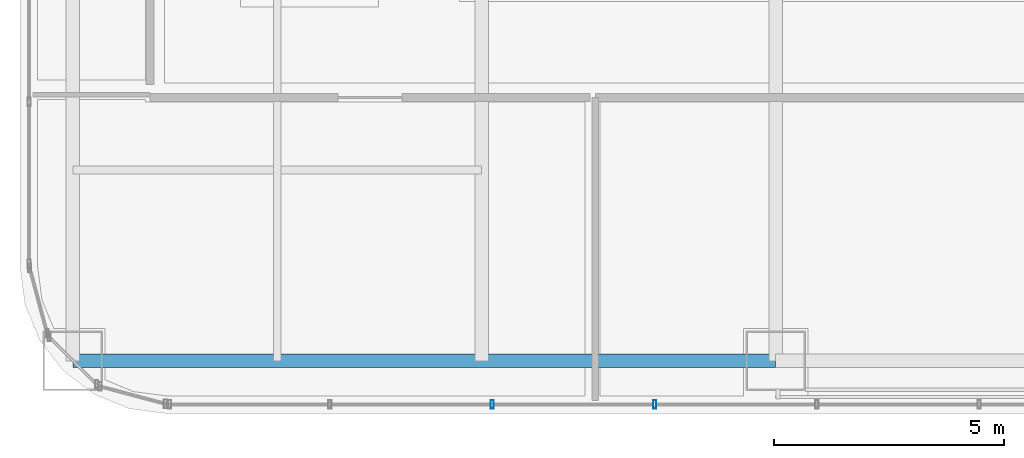
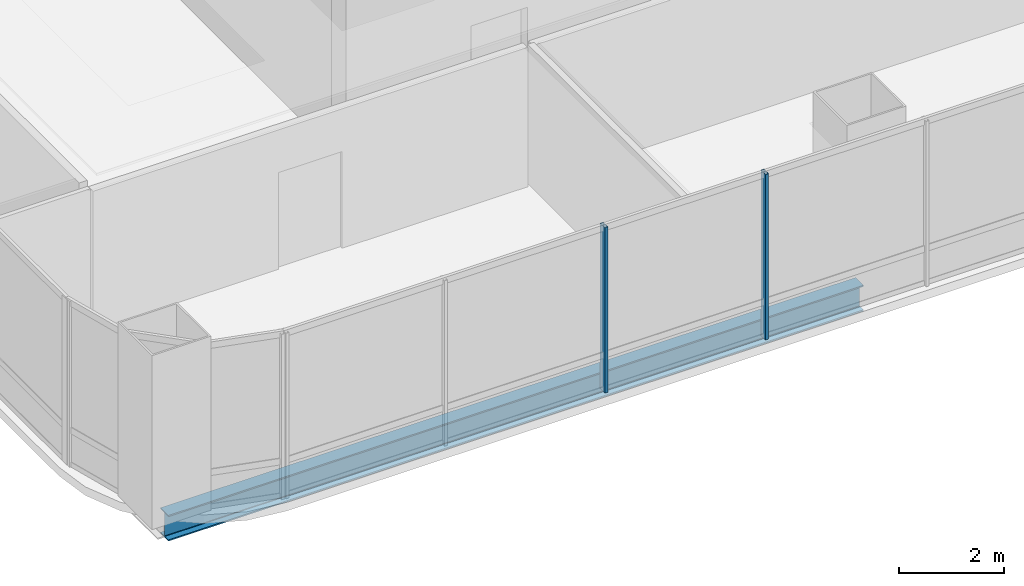
# One storey, part 3 of 42: 2 members, 1 beam, 1 element without a shape of its own.
"""IFC4 building model written with IfcOpenShell, lengths in metres."""

from ifc_helpers import new_model, si_unit, direction, frame, origin, origin_2d, place, context, subcontext, project, spatial, hollow_rectangle, i_section, extrude, material, material_profile, profile_set, type_object, element, aggregate, save


model = new_model("IFC4")

# Units and contexts
model_context = context("Model", 3, precision=1e-05, world=origin(), true_north=direction((0.0, 1.0)))
body_context = subcontext(model_context, "Body", "Model", "MODEL_VIEW")
ifc_project = project(units=[si_unit("LENGTHUNIT", "METRE"), si_unit("AREAUNIT", "SQUARE_METRE"), si_unit("VOLUMEUNIT", "CUBIC_METRE"), si_unit("PLANEANGLEUNIT", "RADIAN"), si_unit("MASSUNIT", "GRAM", prefix="KILO")], contexts=[model_context])

# Site, building, storey
site_placement = place(None, origin())
site = spatial("IfcSite", under=ifc_project, at=site_placement, CompositionType="ELEMENT")
building_placement = place(site_placement, origin())
building = spatial("IfcBuilding", under=site, at=building_placement, Name="Punatoya Terracotta Tower", CompositionType="ELEMENT")
storey_placement = place(building_placement, frame((0.0, 0.0, 255.449951171875)))
storey = spatial("IfcBuildingStorey", under=building, at=storey_placement, Name="L60", CompositionType="ELEMENT", Elevation=255.449951171875)

# Beam
ifc_material_1 = material(Name="Steel S355", Category="steel")
ifc_material_profile_1 = material_profile(ifc_material_1, i_section(OverallWidth=0.300048828125, OverallDepth=0.60009765625, WebThickness=0.015380859375, FlangeThickness=0.030029296875, FilletRadius=0.01806640625, at=origin_2d()))
ifc_profile_set_1 = profile_set([ifc_material_profile_1], Name="Steel S355")
beam_type = type_object("IfcBeamType", Name="BM-PRI-600", PredefinedType="BEAM", material=ifc_profile_set_1)
beam_placement = place(storey_placement, frame((-19.10009765625, -17.5, -0.5), z_axis=(1.0, 0.0, 0.0), x_axis=(0.0, 1.0, 0.0)))
element("IfcBeam", 1, at=beam_placement, inside=storey, type_object=beam_type, Name="BM-L60-RG-S1", PredefinedType="BEAM", context=body_context, shape_type="SweptSolid", body=[
    extrude(i_section(OverallWidth=0.300048828125, OverallDepth=0.60009765625, WebThickness=0.015380859375, FlangeThickness=0.030029296875, FilletRadius=0.01806640625, at=origin_2d()), origin(), (0.0, 0.0, 1.0), 15.300048828125),
])

# Curtain wall, members
ifc_material_2 = material(Name="Aluminium 6063-T6 + Double Low-E Glass", Category="aluminium")
curtain_wall_type = type_object("IfcCurtainWallType", Name="CW-M3", PredefinedType="NOTDEFINED", material=ifc_material_2)
curtain_wall_placement = place(storey_placement, origin())
curtain_wall = element("IfcCurtainWall", 2, at=curtain_wall_placement, inside=storey, type_object=curtain_wall_type, Name="L60 Curtain Wall CW-L60-S01-1", PredefinedType="NOTDEFINED")
ifc_material_3 = material(Name="Aluminium 6063-T6", Category="aluminium")
ifc_material_profile_2 = material_profile(ifc_material_3, hollow_rectangle(XDim=0.070068359375, YDim=0.179931640625, WallThickness=0.00390625, at=origin_2d()))
ifc_profile_set_2 = profile_set([ifc_material_profile_2], Name="Aluminium 6063-T6")
member_type = type_object("IfcMemberType", Name="CW-MUL-M3", PredefinedType="MULLION", material=ifc_profile_set_2)
member_1_placement = place(storey_placement, frame((-9.968994140625, -18.449951171875, 0.0), z_axis=(0.0, 0.0, 1.0), x_axis=(1.0, 0.0, 0.0)))
member_1 = element("IfcMember", 3, at=member_1_placement, type_object=member_type, Name="CW-L60-S01-1 Mullion 02", PredefinedType="MULLION", context=body_context, shape_type="SweptSolid", body=[
    extrude(hollow_rectangle(XDim=0.070068359375, YDim=0.179931640625, WallThickness=0.00390625, at=origin_2d()), origin(), (0.0, 0.0, 1.0), 3.85009765625),
])
member_2_placement = place(storey_placement, frame((-6.43505859375, -18.449951171875, 0.0), z_axis=(0.0, 0.0, 1.0), x_axis=(1.0, 0.0, 0.0)))
member_2 = element("IfcMember", 4, at=member_2_placement, type_object=member_type, Name="CW-L60-S01-1 Mullion 03", PredefinedType="MULLION", context=body_context, shape_type="SweptSolid", body=[
    extrude(hollow_rectangle(XDim=0.070068359375, YDim=0.179931640625, WallThickness=0.00390625, at=origin_2d()), origin(), (0.0, 0.0, 1.0), 3.85009765625),
])
aggregate(curtain_wall, [member_1, member_2])

save(model, "model.ifc")
